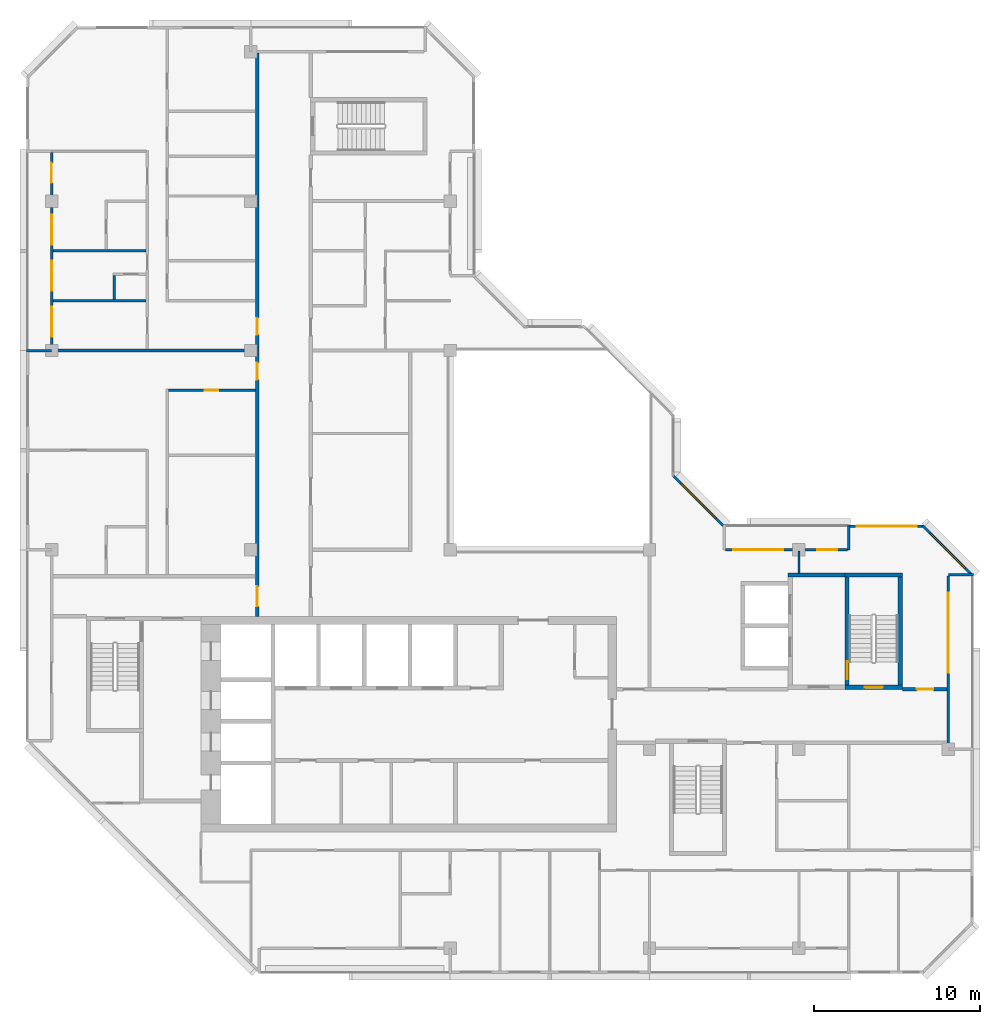
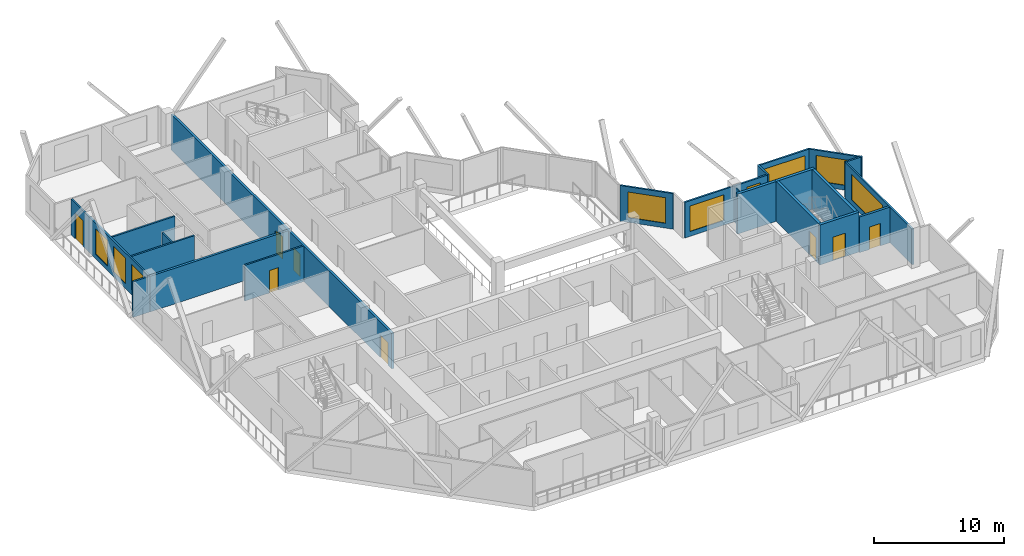
# One storey, part 7 of 12: 22 walls, 9 windows, 8 doors, 17 openings.
"""IFC4 building model written with IfcOpenShell, lengths in metres."""

from ifc_helpers import new_model, si_unit, direction, frame, frame_2d, origin, place, context, subcontext, project, spatial, rectangle, extrude, material, layer, layer_set, type_object, element, fill, save


model = new_model("IFC4")

# Units and contexts
model_context = context("Model", 3, precision=1e-05, world=origin(), true_north=direction((0.0, 1.0)))
body_context = subcontext(model_context, "Body", "Model", "MODEL_VIEW")
ifc_project = project(units=[si_unit("LENGTHUNIT", "METRE"), si_unit("AREAUNIT", "SQUARE_METRE"), si_unit("VOLUMEUNIT", "CUBIC_METRE"), si_unit("PLANEANGLEUNIT", "RADIAN"), si_unit("MASSUNIT", "GRAM", prefix="KILO")], contexts=[model_context])

# Site, building, storey
site_placement = place(None, origin())
site = spatial("IfcSite", under=ifc_project, at=site_placement, CompositionType="ELEMENT")
building_placement = place(site_placement, origin())
building = spatial("IfcBuilding", under=site, at=building_placement, Name="Chenar Terraces", CompositionType="ELEMENT")
storey_placement = place(building_placement, frame((0.0, 0.0, 346.39990234375)))
storey = spatial("IfcBuildingStorey", under=building, at=storey_placement, Name="L80", CompositionType="ELEMENT", Elevation=346.39990234375)

# Wall, opening, door
ifc_material_1 = material(Name="Concrete C50/60", Category="concrete")
ifc_layer_1 = layer(ifc_material_1, 0.25)
ifc_layer_set_1 = layer_set([ifc_layer_1], Name="Concrete C50/60")
wall_type_1 = type_object("IfcWallType", Name="Core wall 250 Concrete C50/60", PredefinedType="SHEAR", material=ifc_layer_set_1)
wall_1_placement = place(storey_placement, frame((47.77490234375, 15.72509765625, 0.0), z_axis=(0.0, 0.0, 1.0), x_axis=(1.0, 0.0, 0.0)))
wall_1 = element("IfcWall", 1, at=wall_1_placement, inside=storey, type_object=wall_type_1, Name="Core wall ST3_S L80", PredefinedType="SHEAR", context=body_context, shape_type="SweptSolid", body=[
    extrude(rectangle(XDim=3.4501953125, YDim=0.25, at=frame_2d((1.72509765625, 0.0))), origin(), (0.0, 0.0, 1.0), 3.75),
])
opening_1_placement = place(wall_1_placement, frame((1.175048828125, 0.0, 0.0)))
opening_1 = element("IfcOpeningElement", 2, at=opening_1_placement, cuts=wall_1, Name="Opening DL80-C8", PredefinedType="OPENING", context=body_context, shape_type="SweptSolid", body=[
    extrude(rectangle(XDim=1.10009765625, YDim=2.199951171875, at=frame_2d((0.550048828125, 1.10009765625))), frame((0.0, 0.135009765625, 0.0), z_axis=(0.0, -1.0, 0.0), x_axis=(1.0, 0.0, 0.0)), (0.0, 0.0, 1.0), 0.27001953125),
])
ifc_material_2 = material(Name="Steel-framed fire-resisting door leaf", Category="steel")
door_type_1 = type_object("IfcDoorType", Name="Stair fire door FD60 1100 x 2200", OperationType="SINGLE_SWING_LEFT", PredefinedType="DOOR", material=ifc_material_2)
door_1_placement = place(opening_1_placement, frame((1.10009765625, 0.0, 0.0), z_axis=(0.0, 0.0, 1.0), x_axis=(-1.0, 0.0, 0.0)))
door_1 = element("IfcDoor", 3, at=door_1_placement, inside=storey, type_object=door_type_1, Name="Stair door DL80-C8", OperationType="SINGLE_SWING_LEFT", OverallHeight=2.199951171875, OverallWidth=1.10009765625, PredefinedType="DOOR", context=body_context, shape_type="SweptSolid", body=[
    extrude(rectangle(XDim=1.10009765625, YDim=2.199951171875, at=frame_2d((0.550048828125, 1.10009765625))), frame((0.0, 0.02490234375, 0.0), z_axis=(0.0, -1.0, 0.0), x_axis=(1.0, 0.0, 0.0)), (0.0, 0.0, 1.0), 0.050048828125),
])
fill(opening_1, door_1)

# Wall
wall_2_placement = place(storey_placement, frame((47.77490234375, 22.47509765625, 0.0), z_axis=(0.0, 0.0, 1.0), x_axis=(1.0, 0.0, 0.0)))
element("IfcWall", 4, at=wall_2_placement, inside=storey, type_object=wall_type_1, Name="Core wall ST3_N L80", PredefinedType="SHEAR", context=body_context, shape_type="SweptSolid", body=[
    extrude(rectangle(XDim=3.4501953125, YDim=0.25, at=frame_2d((1.72509765625, 0.0))), origin(), (0.0, 0.0, 1.0), 3.75),
])

# Wall, opening, door
wall_3_placement = place(storey_placement, frame((47.89990234375, 15.85009765625, 0.0), z_axis=(0.0, 0.0, 1.0), x_axis=(0.0, 1.0, 0.0)))
wall_3 = element("IfcWall", 5, at=wall_3_placement, inside=storey, type_object=wall_type_1, Name="Core wall ST3_W L80", PredefinedType="SHEAR", context=body_context, shape_type="SweptSolid", body=[
    extrude(rectangle(XDim=6.5, YDim=0.25, at=frame_2d((3.25, 0.0))), origin(), (0.0, 0.0, 1.0), 3.75),
])
opening_2_placement = place(wall_3_placement, frame((0.35009765625, 0.0, 0.0)))
opening_2 = element("IfcOpeningElement", 6, at=opening_2_placement, cuts=wall_3, Name="Opening DL80-C11", PredefinedType="OPENING", context=body_context, shape_type="SweptSolid", body=[
    extrude(rectangle(XDim=1.10009765625, YDim=2.199951171875, at=frame_2d((0.550048828125, 1.10009765625))), frame((0.0, 0.135009765625, 0.0), z_axis=(0.0, -1.0, 0.0), x_axis=(1.0, 0.0, 0.0)), (0.0, 0.0, 1.0), 0.27001953125),
])
door_2_placement = place(opening_2_placement, frame((1.10009765625, 0.0, 0.0), z_axis=(0.0, 0.0, 1.0), x_axis=(-1.0, 0.0, 0.0)))
door_2 = element("IfcDoor", 7, at=door_2_placement, inside=storey, type_object=door_type_1, Name="Stair door DL80-C11", OperationType="SINGLE_SWING_RIGHT", OverallHeight=2.199951171875, OverallWidth=1.10009765625, PredefinedType="DOOR", context=body_context, shape_type="SweptSolid", body=[
    extrude(rectangle(XDim=1.10009765625, YDim=2.199951171875, at=frame_2d((0.550048828125, 1.10009765625))), frame((0.0, 0.02490234375, 0.0), z_axis=(0.0, -1.0, 0.0), x_axis=(1.0, 0.0, 0.0)), (0.0, 0.0, 1.0), 0.050048828125),
])
fill(opening_2, door_2)

# Walls
wall_4_placement = place(storey_placement, frame((51.10009765625, 15.85009765625, 0.0), z_axis=(0.0, 0.0, 1.0), x_axis=(0.0, 1.0, 0.0)))
element("IfcWall", 8, at=wall_4_placement, inside=storey, type_object=wall_type_1, Name="Core wall ST3_E L80", PredefinedType="SHEAR", context=body_context, shape_type="SweptSolid", body=[
    extrude(rectangle(XDim=6.5, YDim=0.25, at=frame_2d((3.25, 0.0))), origin(), (0.0, 0.0, 1.0), 3.75),
])
wall_5_placement = place(storey_placement, frame((44.35009765625, 22.47509765625, 0.0), z_axis=(0.0, 0.0, 1.0), x_axis=(1.0, 0.0, 0.0)))
element("IfcWall", 9, at=wall_5_placement, inside=storey, type_object=wall_type_1, Name="Core wall F3_LN L80", PredefinedType="SHEAR", context=body_context, shape_type="SweptSolid", body=[
    extrude(rectangle(XDim=3.4248046875, YDim=0.25, at=frame_2d((1.71240234375, 0.0))), origin(), (0.0, 0.0, 1.0), 3.75),
])

# Wall, openings, doors
ifc_material_3 = material(Name="Gypsum board on steel studs with fire boards", Category="steel")
ifc_layer_2 = layer(ifc_material_3, 0.199951171875)
ifc_layer_set_2 = layer_set([ifc_layer_2], Name="Gypsum board on steel studs with fire boards")
wall_type_2 = type_object("IfcWallType", Name="Corridor wall 200", PredefinedType="PARTITIONING", material=ifc_layer_set_2)
wall_6_placement = place(storey_placement, frame((12.375, 20.0, 0.0), z_axis=(0.0, 0.0, 1.0), x_axis=(0.0, 1.0, 0.0)))
wall_6 = element("IfcWall", 10, at=wall_6_placement, inside=storey, type_object=wall_type_2, Name="Partition L80-030", PredefinedType="PARTITIONING", context=body_context, shape_type="SweptSolid", body=[
    extrude(rectangle(XDim=33.926025390625, YDim=0.199951171875, at=frame_2d((16.962890625, 0.0))), origin(), (0.0, 0.0, 1.0), 3.35009765625),
])
opening_3_placement = place(wall_6_placement, frame((16.949951171875, 0.0, 0.0)))
opening_3 = element("IfcOpeningElement", 11, at=opening_3_placement, cuts=wall_6, Name="Opening DL80-14", PredefinedType="OPENING", context=body_context, shape_type="SweptSolid", body=[
    extrude(rectangle(XDim=1.0, YDim=2.10009765625, at=frame_2d((0.5, 1.050048828125))), frame((0.0, 0.10986328125, 0.0), z_axis=(0.0, -1.0, 0.0), x_axis=(1.0, 0.0, 0.0)), (0.0, 0.0, 1.0), 0.219970703125),
])
opening_4_placement = place(wall_6_placement, frame((0.60009765625, 0.0, 0.0)))
opening_4 = element("IfcOpeningElement", 12, at=opening_4_placement, cuts=wall_6, Name="Opening DL80-22", PredefinedType="OPENING", context=body_context, shape_type="SweptSolid", body=[
    extrude(rectangle(XDim=1.199951171875, YDim=2.10009765625, at=frame_2d((0.60009765625, 1.050048828125))), frame((0.0, 0.10986328125, 0.0), z_axis=(0.0, -1.0, 0.0), x_axis=(1.0, 0.0, 0.0)), (0.0, 0.0, 1.0), 0.219970703125),
])
opening_5_placement = place(wall_6_placement, frame((14.25, 0.0, 0.0)))
opening_5 = element("IfcOpeningElement", 13, at=opening_5_placement, cuts=wall_6, Name="Opening DL80-45", PredefinedType="OPENING", context=body_context, shape_type="SweptSolid", body=[
    extrude(rectangle(XDim=1.0, YDim=2.10009765625, at=frame_2d((0.5, 1.050048828125))), frame((0.0, 0.10986328125, 0.0), z_axis=(0.0, -1.0, 0.0), x_axis=(1.0, 0.0, 0.0)), (0.0, 0.0, 1.0), 0.219970703125),
])
ifc_material_4 = material(Name="Steel-framed fire-resisting door leaf", Category="steel")
door_type_2 = type_object("IfcDoorType", Name="Fire door FD30S 1000 x 2100", OperationType="SINGLE_SWING_LEFT", PredefinedType="DOOR", material=ifc_material_4)
door_3_placement = place(opening_3_placement, origin())
door_3 = element("IfcDoor", 14, at=door_3_placement, inside=storey, type_object=door_type_2, Name="Door DL80-14", OperationType="SINGLE_SWING_LEFT", OverallHeight=2.10009765625, OverallWidth=1.0, PredefinedType="DOOR", context=body_context, shape_type="SweptSolid", body=[
    extrude(rectangle(XDim=1.0, YDim=2.10009765625, at=frame_2d((0.5, 1.050048828125))), frame((0.0, 0.02490234375, 0.0), z_axis=(0.0, -1.0, 0.0), x_axis=(1.0, 0.0, 0.0)), (0.0, 0.0, 1.0), 0.050048828125),
])
fill(opening_3, door_3)
door_4_placement = place(opening_5_placement, origin())
door_4 = element("IfcDoor", 15, at=door_4_placement, inside=storey, type_object=door_type_2, Name="Door DL80-45", OperationType="SINGLE_SWING_RIGHT", OverallHeight=2.10009765625, OverallWidth=1.0, PredefinedType="DOOR", context=body_context, shape_type="SweptSolid", body=[
    extrude(rectangle(XDim=1.0, YDim=2.10009765625, at=frame_2d((0.5, 1.050048828125))), frame((0.0, 0.02490234375, 0.0), z_axis=(0.0, -1.0, 0.0), x_axis=(1.0, 0.0, 0.0)), (0.0, 0.0, 1.0), 0.050048828125),
])
fill(opening_5, door_4)
ifc_material_5 = material(Name="Steel-framed fire-resisting door leaf", Category="steel")
door_type_3 = type_object("IfcDoorType", Name="Fire door FD30S 1200 x 2100", OperationType="SINGLE_SWING_LEFT", PredefinedType="DOOR", material=ifc_material_5)
door_5_placement = place(opening_4_placement, origin())
door_5 = element("IfcDoor", 16, at=door_5_placement, inside=storey, type_object=door_type_3, Name="Door DL80-22", OperationType="SINGLE_SWING_RIGHT", OverallHeight=2.10009765625, OverallWidth=1.199951171875, PredefinedType="DOOR", context=body_context, shape_type="SweptSolid", body=[
    extrude(rectangle(XDim=1.199951171875, YDim=2.10009765625, at=frame_2d((0.60009765625, 1.050048828125))), frame((0.0, 0.02490234375, 0.0), z_axis=(0.0, -1.0, 0.0), x_axis=(1.0, 0.0, 0.0)), (0.0, 0.0, 1.0), 0.050048828125),
])
fill(opening_4, door_5)

# Wall, opening, door
wall_7_placement = place(storey_placement, frame((51.22509765625, 15.60009765625, 0.0), z_axis=(0.0, 0.0, 1.0), x_axis=(1.0, 0.0, 0.0)))
wall_7 = element("IfcWall", 17, at=wall_7_placement, inside=storey, type_object=wall_type_2, Name="Partition L80-064", PredefinedType="PARTITIONING", context=body_context, shape_type="SweptSolid", body=[
    extrude(rectangle(XDim=2.700927734375, YDim=0.199951171875, at=frame_2d((1.3505859375, 0.0))), origin(), (0.0, 0.0, 1.0), 3.35009765625),
])
opening_6_placement = place(wall_7_placement, frame((0.875, 0.0, 0.0)))
opening_6 = element("IfcOpeningElement", 18, at=opening_6_placement, cuts=wall_7, Name="Opening DL80-23", PredefinedType="OPENING", context=body_context, shape_type="SweptSolid", body=[
    extrude(rectangle(XDim=1.0, YDim=2.10009765625, at=frame_2d((0.5, 1.050048828125))), frame((0.0, 0.10986328125, 0.0), z_axis=(0.0, -1.0, 0.0), x_axis=(1.0, 0.0, 0.0)), (0.0, 0.0, 1.0), 0.219970703125),
])
ifc_material_6 = material(Name="Steel-framed fire-resisting door leaf", Category="steel")
door_type_4 = type_object("IfcDoorType", Name="Fire door FD60 1000 x 2100", OperationType="SINGLE_SWING_LEFT", PredefinedType="DOOR", material=ifc_material_6)
door_6_placement = place(opening_6_placement, origin())
door_6 = element("IfcDoor", 19, at=door_6_placement, inside=storey, type_object=door_type_4, Name="Door DL80-23", OperationType="SINGLE_SWING_RIGHT", OverallHeight=2.10009765625, OverallWidth=1.0, PredefinedType="DOOR", context=body_context, shape_type="SweptSolid", body=[
    extrude(rectangle(XDim=1.0, YDim=2.10009765625, at=frame_2d((0.5, 1.050048828125))), frame((0.0, 0.02490234375, 0.0), z_axis=(0.0, -1.0, 0.0), x_axis=(1.0, 0.0, 0.0)), (0.0, 0.0, 1.0), 0.050048828125),
])
fill(opening_6, door_6)

# Wall, opening, window
ifc_material_7 = material(Name="Aluminium framed glazing", Category="aluminium")
ifc_layer_3 = layer(ifc_material_7, 0.14990234375)
ifc_layer_set_3 = layer_set([ifc_layer_3], Name="Aluminium framed glazing")
wall_type_3 = type_object("IfcWallType", Name="Glazed flush facade wall 150", PredefinedType="SOLIDWALL", material=ifc_layer_set_3)
wall_8_placement = place(storey_placement, frame((52.5, 25.425048828125, 0.0), z_axis=(0.0, 0.0, 1.0), x_axis=(-1.0, 0.0, 0.0)))
wall_8 = element("IfcWall", 20, at=wall_8_placement, inside=storey, type_object=wall_type_3, Name="Glazed flush facade wall", PredefinedType="SOLIDWALL", context=body_context, shape_type="SweptSolid", body=[
    extrude(rectangle(XDim=4.425048828125, YDim=0.14990234375, at=frame_2d((2.21240234375, 0.0))), origin(), (0.0, 0.0, 1.0), 3.35009765625),
])
opening_7_placement = place(wall_8_placement, frame((0.41259765625, 0.0, 0.449951171875)))
opening_7 = element("IfcOpeningElement", 21, at=opening_7_placement, cuts=wall_8, Name="Opening W360x240", PredefinedType="OPENING", context=body_context, shape_type="SweptSolid", body=[
    extrude(rectangle(XDim=3.60009765625, YDim=2.39990234375, at=frame_2d((1.800048828125, 1.199951171875))), frame((0.0, 0.0849609375, 0.0), z_axis=(0.0, -1.0, 0.0), x_axis=(1.0, 0.0, 0.0)), (0.0, 0.0, 1.0), 0.169921875),
])
ifc_material_8 = material(Name="Low emissivity double glazing, aluminium frame", Category="aluminium")
window_type_1 = type_object("IfcWindowType", Name="Fixed light 3600 x 2400", PartitioningType="SINGLE_PANEL", PredefinedType="WINDOW", material=ifc_material_8)
window_1_placement = place(opening_7_placement, origin())
window_1 = element("IfcWindow", 22, at=window_1_placement, inside=storey, type_object=window_type_1, Name="Window", OverallHeight=2.39990234375, OverallWidth=3.60009765625, PartitioningType="SINGLE_PANEL", PredefinedType="WINDOW", context=body_context, shape_type="SweptSolid", body=[
    extrude(rectangle(XDim=3.60009765625, YDim=2.39990234375, at=frame_2d((1.800048828125, 1.199951171875))), frame((0.0, 0.030029296875, 0.0), z_axis=(0.0, -1.0, 0.0), x_axis=(1.0, 0.0, 0.0)), (0.0, 0.0, 1.0), 0.06005859375),
])
fill(opening_7, window_1)

# Wall, openings, windows
ifc_material_9 = material(Name="Aluminium framed glazing", Category="aluminium")
ifc_layer_4 = layer(ifc_material_9, 0.14990234375)
ifc_layer_set_4 = layer_set([ifc_layer_4], Name="Aluminium framed glazing")
wall_type_4 = type_object("IfcWallType", Name="Glazed loggia back wall 150", PredefinedType="SOLIDWALL", material=ifc_layer_set_4)
wall_9_placement = place(storey_placement, frame((47.925048828125, 24.0, 0.0), z_axis=(0.0, 0.0, 1.0), x_axis=(-1.0, 0.0, 0.0)))
wall_9 = element("IfcWall", 23, at=wall_9_placement, inside=storey, type_object=wall_type_4, Name="Glazed loggia back wall", PredefinedType="SOLIDWALL", context=body_context, shape_type="SweptSolid", body=[
    extrude(rectangle(XDim=7.35009765625, YDim=0.14990234375, at=frame_2d((3.675048828125, 0.0))), origin(), (0.0, 0.0, 1.0), 3.35009765625),
])
opening_8_placement = place(wall_9_placement, frame((0.625, 0.0, 0.449951171875)))
opening_8 = element("IfcOpeningElement", 24, at=opening_8_placement, cuts=wall_9, Name="Opening W120x240", PredefinedType="OPENING", context=body_context, shape_type="SweptSolid", body=[
    extrude(rectangle(XDim=1.199951171875, YDim=2.39990234375, at=frame_2d((0.60009765625, 1.199951171875))), frame((0.0, 0.0849609375, 0.0), z_axis=(0.0, -1.0, 0.0), x_axis=(1.0, 0.0, 0.0)), (0.0, 0.0, 1.0), 0.169921875),
])
opening_9_placement = place(wall_9_placement, frame((3.875, 0.0, 0.449951171875)))
opening_9 = element("IfcOpeningElement", 25, at=opening_9_placement, cuts=wall_9, Name="Opening W300x240", PredefinedType="OPENING", context=body_context, shape_type="SweptSolid", body=[
    extrude(rectangle(XDim=3.0, YDim=2.39990234375, at=frame_2d((1.5, 1.199951171875))), frame((0.0, 0.0849609375, 0.0), z_axis=(0.0, -1.0, 0.0), x_axis=(1.0, 0.0, 0.0)), (0.0, 0.0, 1.0), 0.169921875),
])
ifc_material_10 = material(Name="Low emissivity double glazing, aluminium frame", Category="aluminium")
window_type_2 = type_object("IfcWindowType", Name="Fixed light 1200 x 2400", PartitioningType="SINGLE_PANEL", PredefinedType="WINDOW", material=ifc_material_10)
window_2_placement = place(opening_8_placement, origin())
window_2 = element("IfcWindow", 26, at=window_2_placement, inside=storey, type_object=window_type_2, Name="Window", OverallHeight=2.39990234375, OverallWidth=1.199951171875, PartitioningType="SINGLE_PANEL", PredefinedType="WINDOW", context=body_context, shape_type="SweptSolid", body=[
    extrude(rectangle(XDim=1.199951171875, YDim=2.39990234375, at=frame_2d((0.60009765625, 1.199951171875))), frame((0.0, 0.030029296875, 0.0), z_axis=(0.0, -1.0, 0.0), x_axis=(1.0, 0.0, 0.0)), (0.0, 0.0, 1.0), 0.06005859375),
])
fill(opening_8, window_2)
ifc_material_11 = material(Name="Low emissivity double glazing, aluminium frame", Category="aluminium")
window_type_3 = type_object("IfcWindowType", Name="Fixed light 3000 x 2400", PartitioningType="SINGLE_PANEL", PredefinedType="WINDOW", material=ifc_material_11)
window_3_placement = place(opening_9_placement, origin())
window_3 = element("IfcWindow", 27, at=window_3_placement, inside=storey, type_object=window_type_3, Name="Window", OverallHeight=2.39990234375, OverallWidth=3.0, PartitioningType="SINGLE_PANEL", PredefinedType="WINDOW", context=body_context, shape_type="SweptSolid", body=[
    extrude(rectangle(XDim=3.0, YDim=2.39990234375, at=frame_2d((1.5, 1.199951171875))), frame((0.0, 0.030029296875, 0.0), z_axis=(0.0, -1.0, 0.0), x_axis=(1.0, 0.0, 0.0)), (0.0, 0.0, 1.0), 0.06005859375),
])
fill(opening_9, window_3)

# Wall, openings, windows, door
wall_10_placement = place(storey_placement, frame((0.0, 47.925048828125, 0.0), z_axis=(0.0, 0.0, 1.0), x_axis=(0.0, -1.0, 0.0)))
wall_10 = element("IfcWall", 28, at=wall_10_placement, inside=storey, type_object=wall_type_4, Name="Glazed loggia back wall", PredefinedType="SOLIDWALL", context=body_context, shape_type="SweptSolid", body=[
    extrude(rectangle(XDim=11.85009765625, YDim=0.14990234375, at=frame_2d((5.925048828125, 0.0))), origin(), (0.0, 0.0, 1.0), 3.35009765625),
])
opening_10_placement = place(wall_10_placement, frame((0.625, 0.0, 0.0)))
opening_10 = element("IfcOpeningElement", 29, at=opening_10_placement, cuts=wall_10, Name="Opening DL80-G1", PredefinedType="OPENING", context=body_context, shape_type="SweptSolid", body=[
    extrude(rectangle(XDim=1.199951171875, YDim=2.39990234375, at=frame_2d((0.60009765625, 1.199951171875))), frame((0.0, 0.0849609375, 0.0), z_axis=(0.0, -1.0, 0.0), x_axis=(1.0, 0.0, 0.0)), (0.0, 0.0, 1.0), 0.169921875),
])
opening_11_placement = place(wall_10_placement, frame((3.762451171875, 0.0, 0.449951171875)))
opening_11 = element("IfcOpeningElement", 30, at=opening_11_placement, cuts=wall_10, Name="Opening W180x240", PredefinedType="OPENING", context=body_context, shape_type="SweptSolid", body=[
    extrude(rectangle(XDim=1.800048828125, YDim=2.39990234375, at=frame_2d((0.89990234375, 1.199951171875))), frame((0.0, 0.0849609375, 0.0), z_axis=(0.0, -1.0, 0.0), x_axis=(1.0, 0.0, 0.0)), (0.0, 0.0, 1.0), 0.169921875),
])
opening_12_placement = place(wall_10_placement, frame((6.52490234375, 0.0, 0.449951171875)))
opening_12 = element("IfcOpeningElement", 31, at=opening_12_placement, cuts=wall_10, Name="Opening W180x240", PredefinedType="OPENING", context=body_context, shape_type="SweptSolid", body=[
    extrude(rectangle(XDim=1.800048828125, YDim=2.39990234375, at=frame_2d((0.89990234375, 1.199951171875))), frame((0.0, 0.0849609375, 0.0), z_axis=(0.0, -1.0, 0.0), x_axis=(1.0, 0.0, 0.0)), (0.0, 0.0, 1.0), 0.169921875),
])
opening_13_placement = place(wall_10_placement, frame((9.28759765625, 0.0, 0.449951171875)))
opening_13 = element("IfcOpeningElement", 32, at=opening_13_placement, cuts=wall_10, Name="Opening W180x240", PredefinedType="OPENING", context=body_context, shape_type="SweptSolid", body=[
    extrude(rectangle(XDim=1.800048828125, YDim=2.39990234375, at=frame_2d((0.89990234375, 1.199951171875))), frame((0.0, 0.0849609375, 0.0), z_axis=(0.0, -1.0, 0.0), x_axis=(1.0, 0.0, 0.0)), (0.0, 0.0, 1.0), 0.169921875),
])
ifc_material_12 = material(Name="Low emissivity double glazing, aluminium frame", Category="aluminium")
window_type_4 = type_object("IfcWindowType", Name="Fixed light 1800 x 2400", PartitioningType="SINGLE_PANEL", PredefinedType="WINDOW", material=ifc_material_12)
window_4_placement = place(opening_11_placement, origin())
window_4 = element("IfcWindow", 33, at=window_4_placement, inside=storey, type_object=window_type_4, Name="Window", OverallHeight=2.39990234375, OverallWidth=1.800048828125, PartitioningType="SINGLE_PANEL", PredefinedType="WINDOW", context=body_context, shape_type="SweptSolid", body=[
    extrude(rectangle(XDim=1.800048828125, YDim=2.39990234375, at=frame_2d((0.89990234375, 1.199951171875))), frame((0.0, 0.030029296875, 0.0), z_axis=(0.0, -1.0, 0.0), x_axis=(1.0, 0.0, 0.0)), (0.0, 0.0, 1.0), 0.06005859375),
])
fill(opening_11, window_4)
window_5_placement = place(opening_12_placement, origin())
window_5 = element("IfcWindow", 34, at=window_5_placement, inside=storey, type_object=window_type_4, Name="Window", OverallHeight=2.39990234375, OverallWidth=1.800048828125, PartitioningType="SINGLE_PANEL", PredefinedType="WINDOW", context=body_context, shape_type="SweptSolid", body=[
    extrude(rectangle(XDim=1.800048828125, YDim=2.39990234375, at=frame_2d((0.89990234375, 1.199951171875))), frame((0.0, 0.030029296875, 0.0), z_axis=(0.0, -1.0, 0.0), x_axis=(1.0, 0.0, 0.0)), (0.0, 0.0, 1.0), 0.06005859375),
])
fill(opening_12, window_5)
window_6_placement = place(opening_13_placement, origin())
window_6 = element("IfcWindow", 35, at=window_6_placement, inside=storey, type_object=window_type_4, Name="Window", OverallHeight=2.39990234375, OverallWidth=1.800048828125, PartitioningType="SINGLE_PANEL", PredefinedType="WINDOW", context=body_context, shape_type="SweptSolid", body=[
    extrude(rectangle(XDim=1.800048828125, YDim=2.39990234375, at=frame_2d((0.89990234375, 1.199951171875))), frame((0.0, 0.030029296875, 0.0), z_axis=(0.0, -1.0, 0.0), x_axis=(1.0, 0.0, 0.0)), (0.0, 0.0, 1.0), 0.06005859375),
])
fill(opening_13, window_6)
ifc_material_13 = material(Name="Low emissivity double glazing, aluminium frame", Category="aluminium")
door_type_5 = type_object("IfcDoorType", Name="Loggia glazed double door 1200 x 2400", OperationType="DOUBLE_DOOR_SINGLE_SWING", PredefinedType="DOOR", material=ifc_material_13)
door_7_placement = place(opening_10_placement, frame((1.199951171875, 0.0, 0.0), z_axis=(0.0, 0.0, 1.0), x_axis=(-1.0, 0.0, 0.0)))
door_7 = element("IfcDoor", 36, at=door_7_placement, inside=storey, type_object=door_type_5, Name="Loggia glazed door", OperationType="DOUBLE_DOOR_SINGLE_SWING", OverallHeight=2.39990234375, OverallWidth=1.199951171875, PredefinedType="DOOR", context=body_context, shape_type="SweptSolid", body=[
    extrude(rectangle(XDim=1.199951171875, YDim=2.39990234375, at=frame_2d((0.60009765625, 1.199951171875))), frame((0.0, 0.02490234375, 0.0), z_axis=(0.0, -1.0, 0.0), x_axis=(1.0, 0.0, 0.0)), (0.0, 0.0, 1.0), 0.050048828125),
])
fill(opening_10, door_7)

# Wall, opening, window
wall_11_placement = place(storey_placement, frame((54.0, 12.074951171875, 0.0), z_axis=(0.0, 0.0, 1.0), x_axis=(0.0, 1.0, 0.0)))
wall_11 = element("IfcWall", 37, at=wall_11_placement, inside=storey, type_object=wall_type_4, Name="Glazed loggia back wall", PredefinedType="SOLIDWALL", context=body_context, shape_type="SweptSolid", body=[
    extrude(rectangle(XDim=10.35009765625, YDim=0.14990234375, at=frame_2d((5.175048828125, 0.0))), origin(), (0.0, 0.0, 1.0), 3.35009765625),
])
opening_14_placement = place(wall_11_placement, frame((4.53759765625, 0.0, 0.449951171875)))
opening_14 = element("IfcOpeningElement", 38, at=opening_14_placement, cuts=wall_11, Name="Opening W480x240", PredefinedType="OPENING", context=body_context, shape_type="SweptSolid", body=[
    extrude(rectangle(XDim=4.800048828125, YDim=2.39990234375, at=frame_2d((2.39990234375, 1.199951171875))), frame((0.0, 0.0849609375, 0.0), z_axis=(0.0, -1.0, 0.0), x_axis=(1.0, 0.0, 0.0)), (0.0, 0.0, 1.0), 0.169921875),
])
ifc_material_14 = material(Name="Low emissivity double glazing, aluminium frame", Category="aluminium")
window_type_5 = type_object("IfcWindowType", Name="Fixed light 4800 x 2400", PartitioningType="SINGLE_PANEL", PredefinedType="WINDOW", material=ifc_material_14)
window_7_placement = place(opening_14_placement, origin())
window_7 = element("IfcWindow", 39, at=window_7_placement, inside=storey, type_object=window_type_5, Name="Window", OverallHeight=2.39990234375, OverallWidth=4.800048828125, PartitioningType="SINGLE_PANEL", PredefinedType="WINDOW", context=body_context, shape_type="SweptSolid", body=[
    extrude(rectangle(XDim=4.800048828125, YDim=2.39990234375, at=frame_2d((2.39990234375, 1.199951171875))), frame((0.0, 0.030029296875, 0.0), z_axis=(0.0, -1.0, 0.0), x_axis=(1.0, 0.0, 0.0)), (0.0, 0.0, 1.0), 0.06005859375),
])
fill(opening_14, window_7)

# Walls
ifc_material_15 = material(Name="Gypsum board on steel studs", Category="steel")
ifc_layer_5 = layer(ifc_material_15, 0.10009765625)
ifc_layer_set_5 = layer_set([ifc_layer_5], Name="Gypsum board on steel studs")
wall_type_5 = type_object("IfcWallType", Name="Gypsum partition 100", PredefinedType="PARTITIONING", material=ifc_layer_set_5)
wall_12_placement = place(storey_placement, frame((45.0, 22.60009765625, 0.0), z_axis=(0.0, 0.0, 1.0), x_axis=(0.0, 1.0, 0.0)))
element("IfcWall", 40, at=wall_12_placement, inside=storey, type_object=wall_type_5, Name="Partition L80-060", PredefinedType="PARTITIONING", context=body_context, shape_type="SweptSolid", body=[
    extrude(rectangle(XDim=1.325927734375, YDim=0.10009765625, at=frame_2d((0.6630859375, 0.0))), origin(), (0.0, 0.0, 1.0), 3.35009765625),
])
ifc_material_16 = material(Name="Terracotta cladding on insulated backing", Category="masonry")
ifc_layer_6 = layer(ifc_material_16, 0.14990234375)
ifc_layer_set_6 = layer_set([ifc_layer_6], Name="Terracotta cladding on insulated backing")
wall_type_6 = type_object("IfcWallType", Name="Loggia return wall 150", PredefinedType="SOLIDWALL", material=ifc_layer_set_6)
for number, where, z_axis, x_axis, name in (
    (41, (48.0, 25.5, 0.0), (0.0, 0.0, 1.0), (0.0, -1.0, 0.0), "Loggia return wall"),
    (42, (-1.5, 36.0, 0.0), (0.0, 0.0, 1.0), (1.0, 0.0, 0.0), "Loggia return wall"),
    (43, (55.5, 22.5, 0.0), (0.0, 0.0, 1.0), (-1.0, 0.0, 0.0), "Loggia return wall"),
):
    element("IfcWall", number, at=place(storey_placement, frame(where, z_axis=z_axis, x_axis=x_axis)), inside=storey, type_object=wall_type_6, Name=name, PredefinedType="SOLIDWALL", context=body_context, shape_type="SweptSolid", body=[
        extrude(rectangle(XDim=1.5, YDim=0.14990234375, at=frame_2d((0.75, 0.0))), origin(), (0.0, 0.0, 1.0), 3.35009765625),
    ])

# Wall, opening, window
ifc_material_17 = material(Name="Terracotta cladding on insulated backing", Category="masonry")
ifc_layer_7 = layer(ifc_material_17, 0.14990234375)
ifc_layer_set_7 = layer_set([ifc_layer_7], Name="Terracotta cladding on insulated backing")
wall_type_7 = type_object("IfcWallType", Name="Terracotta rainscreen wall 150", PredefinedType="SOLIDWALL", material=ifc_layer_set_7)
wall_13_placement = place(storey_placement, frame((40.447021484375, 25.447021484375, 0.0), z_axis=(0.0, 0.0, 1.0), x_axis=(-0.707106781187, 0.707106781187, 0.0)))
wall_13 = element("IfcWall", 44, at=wall_13_placement, inside=storey, type_object=wall_type_7, Name="Terracotta rainscreen wall", PredefinedType="SOLIDWALL", context=body_context, shape_type="SweptSolid", body=[
    extrude(rectangle(XDim=4.24267578125, YDim=0.14990234375, at=frame_2d((2.121337890625, 0.0))), origin(), (0.0, 0.0, 1.0), 3.35009765625),
])
opening_15_placement = place(wall_13_placement, frame((0.621337890625, 0.0, 0.449951171875)))
opening_15 = element("IfcOpeningElement", 45, at=opening_15_placement, cuts=wall_13, Name="Opening W300x240", PredefinedType="OPENING", context=body_context, shape_type="SweptSolid", body=[
    extrude(rectangle(XDim=3.0, YDim=2.39990234375, at=frame_2d((1.5, 1.199951171875))), frame((0.0, 0.0849609375, 0.0), z_axis=(0.0, -1.0, 0.0), x_axis=(1.0, 0.0, 0.0)), (0.0, 0.0, 1.0), 0.169921875),
])
window_8_placement = place(opening_15_placement, origin())
window_8 = element("IfcWindow", 46, at=window_8_placement, inside=storey, type_object=window_type_3, Name="Window", OverallHeight=2.39990234375, OverallWidth=3.0, PartitioningType="SINGLE_PANEL", PredefinedType="WINDOW", context=body_context, shape_type="SweptSolid", body=[
    extrude(rectangle(XDim=3.0, YDim=2.39990234375, at=frame_2d((1.5, 1.199951171875))), frame((0.0, 0.030029296875, 0.0), z_axis=(0.0, -1.0, 0.0), x_axis=(1.0, 0.0, 0.0)), (0.0, 0.0, 1.0), 0.06005859375),
])
fill(opening_15, window_8)

wall_14_placement = place(storey_placement, frame((55.447021484375, 22.447021484375, 0.0), z_axis=(0.0, 0.0, 1.0), x_axis=(-0.707106781187, 0.707106781187, 0.0)))
wall_14 = element("IfcWall", 47, at=wall_14_placement, inside=storey, type_object=wall_type_7, Name="Terracotta rainscreen wall", PredefinedType="SOLIDWALL", context=body_context, shape_type="SweptSolid", body=[
    extrude(rectangle(XDim=4.24267578125, YDim=0.14990234375, at=frame_2d((2.121337890625, 0.0))), origin(), (0.0, 0.0, 1.0), 3.35009765625),
])
opening_16_placement = place(wall_14_placement, frame((0.621337890625, 0.0, 0.449951171875)))
opening_16 = element("IfcOpeningElement", 48, at=opening_16_placement, cuts=wall_14, Name="Opening W300x240", PredefinedType="OPENING", context=body_context, shape_type="SweptSolid", body=[
    extrude(rectangle(XDim=3.0, YDim=2.39990234375, at=frame_2d((1.5, 1.199951171875))), frame((0.0, 0.0849609375, 0.0), z_axis=(0.0, -1.0, 0.0), x_axis=(1.0, 0.0, 0.0)), (0.0, 0.0, 1.0), 0.169921875),
])
window_9_placement = place(opening_16_placement, origin())
window_9 = element("IfcWindow", 49, at=window_9_placement, inside=storey, type_object=window_type_3, Name="Window", OverallHeight=2.39990234375, OverallWidth=3.0, PartitioningType="SINGLE_PANEL", PredefinedType="WINDOW", context=body_context, shape_type="SweptSolid", body=[
    extrude(rectangle(XDim=3.0, YDim=2.39990234375, at=frame_2d((1.5, 1.199951171875))), frame((0.0, 0.030029296875, 0.0), z_axis=(0.0, -1.0, 0.0), x_axis=(1.0, 0.0, 0.0)), (0.0, 0.0, 1.0), 0.06005859375),
])
fill(opening_16, window_9)

# Walls
ifc_material_18 = material(Name="Twin gypsum board on steel studs with mineral wool", Category="steel")
ifc_layer_8 = layer(ifc_material_18, 0.199951171875)
ifc_layer_set_8 = layer_set([ifc_layer_8], Name="Twin gypsum board on steel studs with mineral wool")
wall_type_8 = type_object("IfcWallType", Name="Unit demising wall 200", PredefinedType="PARTITIONING", material=ifc_layer_set_8)
wall_15_placement = place(storey_placement, frame((0.0, 36.0, 0.0), z_axis=(0.0, 0.0, 1.0), x_axis=(1.0, 0.0, 0.0)))
element("IfcWall", 50, at=wall_15_placement, inside=storey, type_object=wall_type_8, Name="Partition L80-002", PredefinedType="PARTITIONING", context=body_context, shape_type="SweptSolid", body=[
    extrude(rectangle(XDim=12.27490234375, YDim=0.199951171875, at=frame_2d((6.137451171875, 0.0))), origin(), (0.0, 0.0, 1.0), 3.35009765625),
])
ifc_material_19 = material(Name="Moisture-resistant gypsum board on steel studs", Category="steel")
ifc_layer_9 = layer(ifc_material_19, 0.14990234375)
ifc_layer_set_9 = layer_set([ifc_layer_9], Name="Moisture-resistant gypsum board on steel studs")
wall_type_9 = type_object("IfcWallType", Name="Wet-room partition 150", PredefinedType="PARTITIONING", material=ifc_layer_set_9)
for number, where, z_axis, x_axis, name in (
    (51, (0.073974609375, 39.0, 0.0), (0.0, 0.0, 1.0), (1.0, 0.0, 0.0), "Partition L80-006"),
    (52, (0.073974609375, 42.0, 0.0), (0.0, 0.0, 1.0), (1.0, 0.0, 0.0), "Partition L80-007"),
):
    element("IfcWall", number, at=place(storey_placement, frame(where, z_axis=z_axis, x_axis=x_axis)), inside=storey, type_object=wall_type_9, Name=name, PredefinedType="PARTITIONING", context=body_context, shape_type="SweptSolid", body=[
        extrude(rectangle(XDim=5.6259765625, YDim=0.14990234375, at=frame_2d((2.81298828125, 0.0))), origin(), (0.0, 0.0, 1.0), 3.35009765625),
    ])
wall_16_placement = place(storey_placement, frame((3.77490234375, 39.074951171875, 0.0), z_axis=(0.0, 0.0, 1.0), x_axis=(0.0, 1.0, 0.0)))
element("IfcWall", 53, at=wall_16_placement, inside=storey, type_object=wall_type_9, Name="Partition L80-014", PredefinedType="PARTITIONING", context=body_context, shape_type="SweptSolid", body=[
    extrude(rectangle(XDim=1.449951171875, YDim=0.14990234375, at=frame_2d((0.72509765625, 0.0))), origin(), (0.0, 0.0, 1.0), 3.35009765625),
])

# Wall, opening, door
wall_17_placement = place(storey_placement, frame((7.050048828125, 33.60009765625, 0.0), z_axis=(0.0, 0.0, 1.0), x_axis=(1.0, 0.0, 0.0)))
wall_17 = element("IfcWall", 54, at=wall_17_placement, inside=storey, type_object=wall_type_9, Name="Partition L80-020", PredefinedType="PARTITIONING", context=body_context, shape_type="SweptSolid", body=[
    extrude(rectangle(XDim=5.224853515625, YDim=0.14990234375, at=frame_2d((2.6123046875, 0.0))), origin(), (0.0, 0.0, 1.0), 3.35009765625),
])
opening_17_placement = place(wall_17_placement, frame((2.175048828125, 0.0, 0.0)))
opening_17 = element("IfcOpeningElement", 55, at=opening_17_placement, cuts=wall_17, Name="Opening DL80-41", PredefinedType="OPENING", context=body_context, shape_type="SweptSolid", body=[
    extrude(rectangle(XDim=0.800048828125, YDim=2.10009765625, at=frame_2d((0.39990234375, 1.050048828125))), frame((0.0, 0.0849609375, 0.0), z_axis=(0.0, -1.0, 0.0), x_axis=(1.0, 0.0, 0.0)), (0.0, 0.0, 1.0), 0.169921875),
])
ifc_material_20 = material(Name="Veneered timber door leaf", Category="wood")
door_type_6 = type_object("IfcDoorType", Name="Door 800 x 2100", OperationType="SINGLE_SWING_LEFT", PredefinedType="DOOR", material=ifc_material_20)
door_8_placement = place(opening_17_placement, frame((0.800048828125, 0.0, 0.0), z_axis=(0.0, 0.0, 1.0), x_axis=(-1.0, 0.0, 0.0)))
door_8 = element("IfcDoor", 56, at=door_8_placement, inside=storey, type_object=door_type_6, Name="Door DL80-41", OperationType="SINGLE_SWING_LEFT", OverallHeight=2.10009765625, OverallWidth=0.800048828125, PredefinedType="DOOR", context=body_context, shape_type="SweptSolid", body=[
    extrude(rectangle(XDim=0.800048828125, YDim=2.10009765625, at=frame_2d((0.39990234375, 1.050048828125))), frame((0.0, 0.02490234375, 0.0), z_axis=(0.0, -1.0, 0.0), x_axis=(1.0, 0.0, 0.0)), (0.0, 0.0, 1.0), 0.050048828125),
])
fill(opening_17, door_8)

save(model, "model.ifc")
